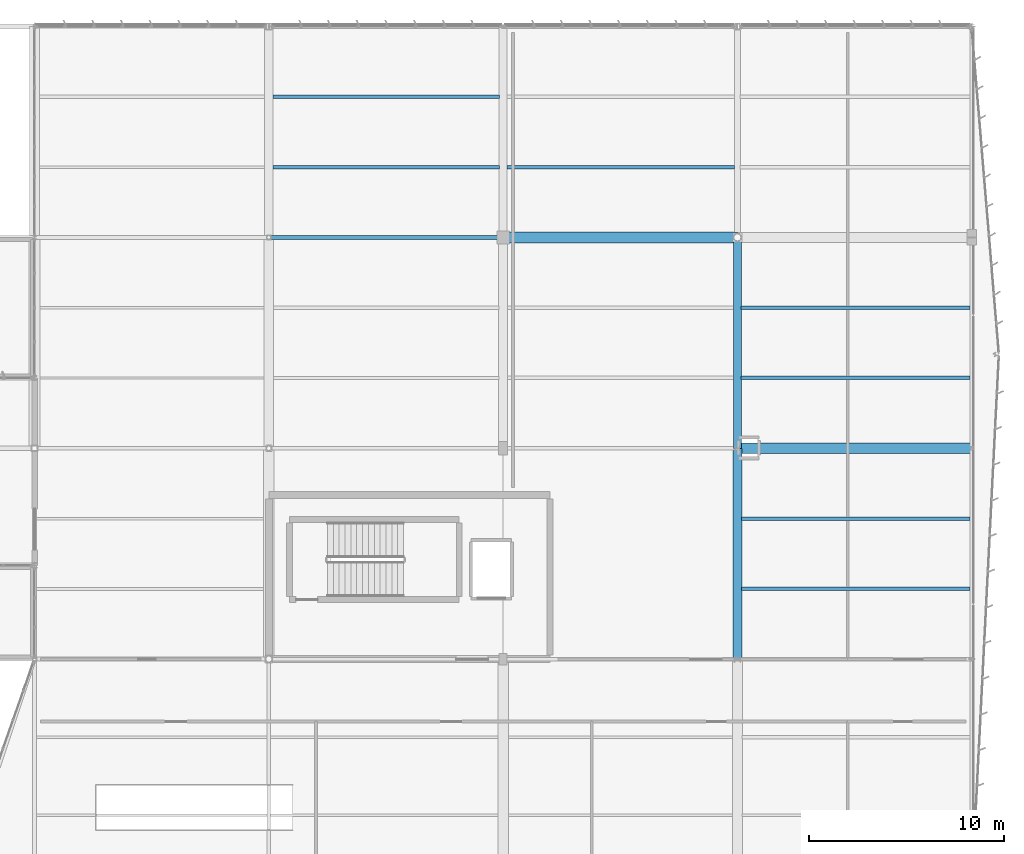
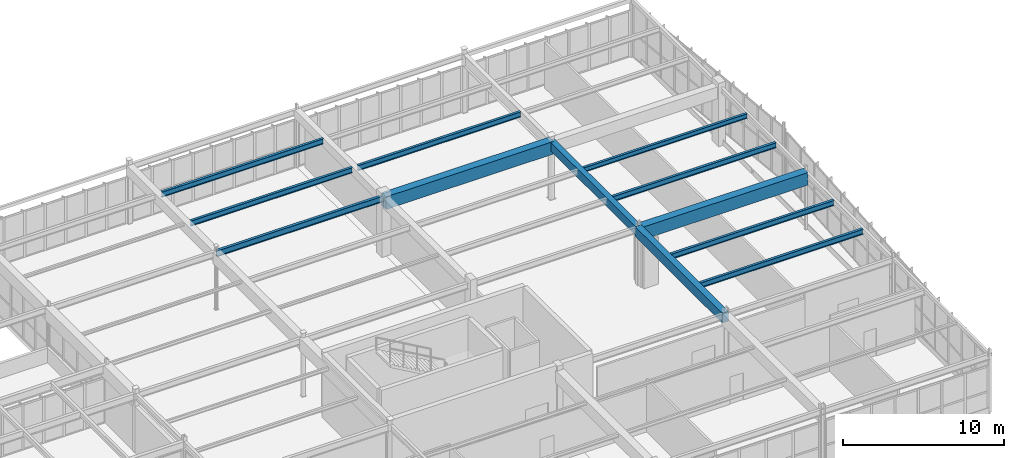
# One storey, part 130 of 226: 12 beams.
"""IFC4 building model written with IfcOpenShell, lengths in metres."""

from ifc_helpers import new_model, si_unit, direction, frame, origin, origin_2d, place, context, subcontext, project, spatial, rectangle, i_section, extrude, material, material_profile, profile_set, type_object, element, save


model = new_model("IFC4")

# Units and contexts
model_context = context("Model", 3, precision=1e-05, world=origin(), true_north=direction((0.0, 1.0)))
body_context = subcontext(model_context, "Body", "Model", "MODEL_VIEW")
ifc_project = project(units=[si_unit("LENGTHUNIT", "METRE"), si_unit("AREAUNIT", "SQUARE_METRE"), si_unit("VOLUMEUNIT", "CUBIC_METRE"), si_unit("PLANEANGLEUNIT", "RADIAN"), si_unit("MASSUNIT", "GRAM", prefix="KILO")], contexts=[model_context])

# Site, building, storey
site_placement = place(None, origin())
site = spatial("IfcSite", under=ifc_project, at=site_placement, CompositionType="ELEMENT")
building_placement = place(site_placement, origin())
building = spatial("IfcBuilding", under=site, at=building_placement, Name="Tarnwether General Hospital", CompositionType="ELEMENT")
storey_placement = place(building_placement, frame((0.0, 0.0, 4.800048828125)))
storey = spatial("IfcBuildingStorey", under=building, at=storey_placement, Name="L01", CompositionType="ELEMENT", Elevation=4.800048828125)

# Beams
ifc_material_1 = material(Name="Steel Grade 350 (350 MPa)", Category="steel")
ifc_material_profile_1 = material_profile(ifc_material_1, i_section(OverallWidth=0.18994140625, OverallDepth=0.4541015625, WebThickness=0.008544921875, FlangeThickness=0.0126953125, at=origin_2d()), Name="460UB67.1")
ifc_profile_set_1 = profile_set([ifc_material_profile_1], Name="Steel Grade 350 (350 MPa)")
beam_type_1 = type_object("IfcBeamType", Name="BM-G10", PredefinedType="BEAM", material=ifc_profile_set_1)
beam_1_placement = place(storey_placement, frame((156.0, 115.199951171875, 4.218017578125), z_axis=(1.0, 0.0, 0.0), x_axis=(0.0, 1.0, 0.0)))
element("IfcBeam", 1, at=beam_1_placement, inside=storey, type_object=beam_type_1, Name="Primary Girder BMG-L01-15600_11520-16800_11520-1246", PredefinedType="BEAM", context=body_context, shape_type="SweptSolid", body=[
    extrude(i_section(OverallWidth=0.18994140625, OverallDepth=0.4541015625, WebThickness=0.008544921875, FlangeThickness=0.0126953125, at=origin_2d()), origin(), (0.0, 0.0, 1.0), 12.0),
])
ifc_material_2 = material(Name="Concrete 40 MPa", Category="concrete")
ifc_material_profile_2 = material_profile(ifc_material_2, rectangle(XDim=0.550048828125, YDim=0.949951171875, at=origin_2d()), Name="RC-BM-550x950")
ifc_profile_set_2 = profile_set([ifc_material_profile_2], Name="Concrete 40 MPa")
beam_type_2 = type_object("IfcBeamType", Name="BM-G11", PredefinedType="BEAM", material=ifc_profile_set_2)
for number, where, z_axis, x_axis, name in (
    (2, (168.0, 115.199951171875, 3.969970703125), (1.0, 0.0, 0.0), (0.0, 1.0, 0.0), "Primary Girder BMG-L01-16800_11520-18000_11520-1262"),
    (3, (180.0, 104.39990234375, 3.969970703125), (1.0, 0.0, 0.0), (0.0, 1.0, 0.0), "Primary Girder BMG-L01-18000_10440-19200_10440-1278"),
):
    element("IfcBeam", number, at=place(storey_placement, frame(where, z_axis=z_axis, x_axis=x_axis)), inside=storey, type_object=beam_type_2, Name=name, PredefinedType="BEAM", context=body_context, shape_type="SweptSolid", body=[
        extrude(rectangle(XDim=0.550048828125, YDim=0.949951171875, at=origin_2d()), origin(), (0.0, 0.0, 1.0), 12.0),
    ])
ifc_material_3 = material(Name="Concrete 40 MPa", Category="concrete")
ifc_material_profile_3 = material_profile(ifc_material_3, rectangle(XDim=0.449951171875, YDim=0.75, at=origin_2d()), Name="RC-BM-450x750")
ifc_profile_set_3 = profile_set([ifc_material_profile_3], Name="Concrete 40 MPa")
beam_type_3 = type_object("IfcBeamType", Name="BM-G13", PredefinedType="BEAM", material=ifc_profile_set_3)
beam_2_placement = place(storey_placement, frame((180.0, 93.60009765625, 4.070068359375), z_axis=(0.0, 1.0, 0.0), x_axis=(-1.0, 0.0, 0.0)))
element("IfcBeam", 4, at=beam_2_placement, inside=storey, type_object=beam_type_3, Name="Primary Girder BMG-L01-18000_9360-18000_10440-1277", PredefinedType="BEAM", context=body_context, shape_type="SweptSolid", body=[
    extrude(rectangle(XDim=0.449951171875, YDim=0.75, at=origin_2d()), origin(), (0.0, 0.0, 1.0), 10.7998046875),
])
ifc_material_4 = material(Name="Concrete 40 MPa", Category="concrete")
ifc_material_profile_4 = material_profile(ifc_material_4, rectangle(XDim=0.39990234375, YDim=0.64990234375, at=origin_2d()), Name="RC-BM-400x650")
ifc_profile_set_4 = profile_set([ifc_material_profile_4], Name="Concrete 40 MPa")
beam_type_4 = type_object("IfcBeamType", Name="BM-G14", PredefinedType="BEAM", material=ifc_profile_set_4)
beam_3_placement = place(storey_placement, frame((180.0, 104.39990234375, 4.119873046875), z_axis=(0.0, 1.0, 0.0), x_axis=(-1.0, 0.0, 0.0)))
element("IfcBeam", 5, at=beam_3_placement, inside=storey, type_object=beam_type_4, Name="Primary Girder BMG-L01-18000_10440-18000_11520-1279", PredefinedType="BEAM", context=body_context, shape_type="SweptSolid", body=[
    extrude(rectangle(XDim=0.39990234375, YDim=0.64990234375, at=origin_2d()), origin(), (0.0, 0.0, 1.0), 10.800048828125),
])
ifc_material_5 = material(Name="Steel Grade 350 (350 MPa)", Category="steel")
ifc_material_profile_5 = material_profile(ifc_material_5, i_section(OverallWidth=0.177978515625, OverallDepth=0.406005859375, WebThickness=0.0078125, FlangeThickness=0.0126953125, at=origin_2d()), Name="410UB59.7")
ifc_profile_set_5 = profile_set([ifc_material_profile_5], Name="Steel Grade 350 (350 MPa)")
beam_type_5 = type_object("IfcBeamType", Name="BM-J01", PredefinedType="JOIST", material=ifc_profile_set_5)
beam_4_placement = place(storey_placement, frame((156.218994140625, 118.800048828125, 4.241943359375), z_axis=(1.0, 0.0, 0.0), x_axis=(0.0, 1.0, 0.0)))
element("IfcBeam", 6, at=beam_4_placement, inside=storey, type_object=beam_type_5, Name="Composite Floor Joist BMG-L01-15622_11880-16781_11880-1411", PredefinedType="JOIST", context=body_context, shape_type="SweptSolid", body=[
    extrude(i_section(OverallWidth=0.177978515625, OverallDepth=0.406005859375, WebThickness=0.0078125, FlangeThickness=0.0126953125, at=origin_2d()), origin(), (0.0, 0.0, 1.0), 11.5869140625),
])
beam_5_placement = place(storey_placement, frame((180.218994140625, 97.199951171875, 4.241943359375), z_axis=(1.0, 0.0, 0.0), x_axis=(0.0, 1.0, 0.0)))
element("IfcBeam", 7, at=beam_5_placement, inside=storey, type_object=beam_type_5, Name="Composite Floor Joist BMG-L01-18022_9720-19191_9720-1435", PredefinedType="JOIST", context=body_context, shape_type="SweptSolid", body=[
    extrude(i_section(OverallWidth=0.177978515625, OverallDepth=0.406005859375, WebThickness=0.0078125, FlangeThickness=0.0126953125, at=origin_2d()), origin(), (0.0, 0.0, 1.0), 11.69189453125),
])
ifc_material_6 = material(Name="Steel Grade 350 (350 MPa)", Category="steel")
ifc_material_profile_6 = material_profile(ifc_material_6, i_section(OverallWidth=0.177978515625, OverallDepth=0.403076171875, WebThickness=0.007568359375, FlangeThickness=0.010986328125, at=origin_2d()), Name="410UB53.7")
ifc_profile_set_6 = profile_set([ifc_material_profile_6], Name="Steel Grade 350 (350 MPa)")
beam_type_6 = type_object("IfcBeamType", Name="BM-J02", PredefinedType="JOIST", material=ifc_profile_set_6)
beam_6_placement = place(storey_placement, frame((156.218994140625, 122.39990234375, 4.243408203125), z_axis=(1.0, 0.0, 0.0), x_axis=(0.0, 1.0, 0.0)))
element("IfcBeam", 8, at=beam_6_placement, inside=storey, type_object=beam_type_6, Name="Composite Floor Joist BMG-L01-15622_12240-16781_12240-1412", PredefinedType="JOIST", context=body_context, shape_type="SweptSolid", body=[
    extrude(i_section(OverallWidth=0.177978515625, OverallDepth=0.403076171875, WebThickness=0.007568359375, FlangeThickness=0.010986328125, at=origin_2d()), origin(), (0.0, 0.0, 1.0), 11.5869140625),
])
beam_7_placement = place(storey_placement, frame((168.194091796875, 118.800048828125, 4.243408203125), z_axis=(1.0, 0.0, 0.0), x_axis=(0.0, 1.0, 0.0)))
element("IfcBeam", 9, at=beam_7_placement, inside=storey, type_object=beam_type_6, Name="Composite Floor Joist BMG-L01-16819_11880-17986_11880-1423", PredefinedType="JOIST", context=body_context, shape_type="SweptSolid", body=[
    extrude(i_section(OverallWidth=0.177978515625, OverallDepth=0.403076171875, WebThickness=0.007568359375, FlangeThickness=0.010986328125, at=origin_2d()), origin(), (0.0, 0.0, 1.0), 11.661865234375),
])
beam_8_placement = place(storey_placement, frame((180.218994140625, 100.800048828125, 4.243408203125), z_axis=(1.0, 0.0, 0.0), x_axis=(0.0, 1.0, 0.0)))
element("IfcBeam", 10, at=beam_8_placement, inside=storey, type_object=beam_type_6, Name="Composite Floor Joist BMG-L01-18022_10080-19191_10080-1436", PredefinedType="JOIST", context=body_context, shape_type="SweptSolid", body=[
    extrude(i_section(OverallWidth=0.177978515625, OverallDepth=0.403076171875, WebThickness=0.007568359375, FlangeThickness=0.010986328125, at=origin_2d()), origin(), (0.0, 0.0, 1.0), 11.69189453125),
])
beam_9_placement = place(storey_placement, frame((180.194091796875, 108.0, 4.243408203125), z_axis=(1.0, 0.0, 0.0), x_axis=(0.0, 1.0, 0.0)))
element("IfcBeam", 11, at=beam_9_placement, inside=storey, type_object=beam_type_6, Name="Composite Floor Joist BMG-L01-18019_10800-19192_10800-1437", PredefinedType="JOIST", context=body_context, shape_type="SweptSolid", body=[
    extrude(i_section(OverallWidth=0.177978515625, OverallDepth=0.403076171875, WebThickness=0.007568359375, FlangeThickness=0.010986328125, at=origin_2d()), origin(), (0.0, 0.0, 1.0), 11.722900390625),
])
ifc_material_7 = material(Name="Steel Grade 350 (350 MPa)", Category="steel")
ifc_material_profile_7 = material_profile(ifc_material_7, i_section(OverallWidth=0.172119140625, OverallDepth=0.35888671875, WebThickness=0.008056640625, FlangeThickness=0.012939453125, at=origin_2d()), Name="360UB56.7")
ifc_profile_set_7 = profile_set([ifc_material_profile_7], Name="Steel Grade 350 (350 MPa)")
beam_type_7 = type_object("IfcBeamType", Name="BM-J03", PredefinedType="JOIST", material=ifc_profile_set_7)
beam_10_placement = place(storey_placement, frame((180.194091796875, 111.60009765625, 4.265380859375), z_axis=(1.0, 0.0, 0.0), x_axis=(0.0, 1.0, 0.0)))
element("IfcBeam", 12, at=beam_10_placement, inside=storey, type_object=beam_type_7, Name="Composite Floor Joist BMG-L01-18019_11160-19192_11160-1438", PredefinedType="JOIST", context=body_context, shape_type="SweptSolid", body=[
    extrude(i_section(OverallWidth=0.172119140625, OverallDepth=0.35888671875, WebThickness=0.008056640625, FlangeThickness=0.012939453125, at=origin_2d()), origin(), (0.0, 0.0, 1.0), 11.722900390625),
])

save(model, "model.ifc")
